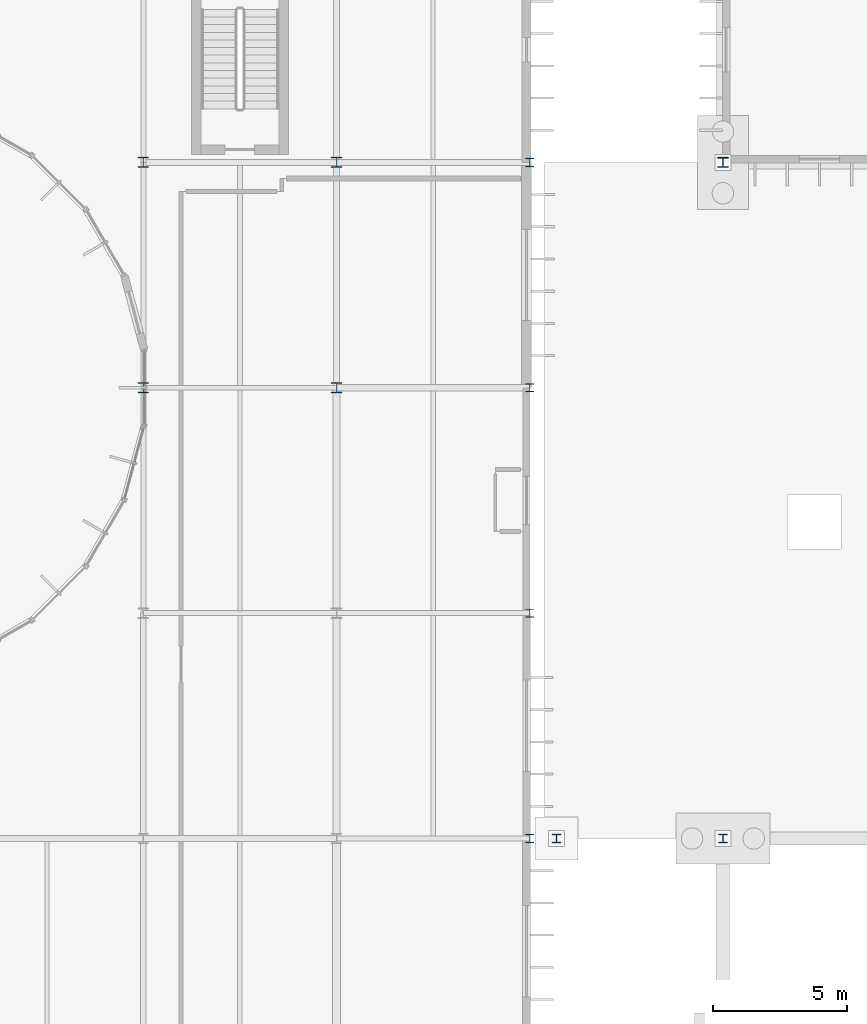
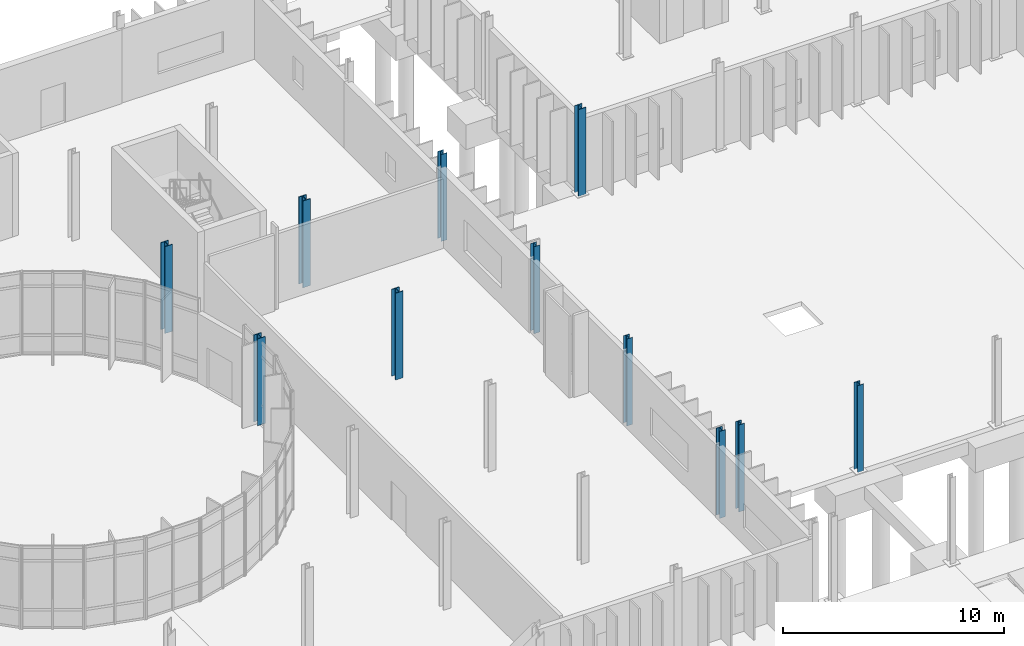
# One storey, part 18 of 118: 11 columns.
"""IFC4 building model written with IfcOpenShell, lengths in metres."""

from ifc_helpers import new_model, si_unit, direction, frame, origin, origin_2d, place, context, subcontext, project, spatial, i_section, extrude, material, material_profile, profile_set, type_object, element, save


model = new_model("IFC4")

# Units and contexts
model_context = context("Model", 3, precision=1e-05, world=origin(), true_north=direction((0.0, 1.0)))
body_context = subcontext(model_context, "Body", "Model", "MODEL_VIEW")
ifc_project = project(units=[si_unit("LENGTHUNIT", "METRE"), si_unit("AREAUNIT", "SQUARE_METRE"), si_unit("VOLUMEUNIT", "CUBIC_METRE"), si_unit("PLANEANGLEUNIT", "RADIAN"), si_unit("MASSUNIT", "GRAM", prefix="KILO")], contexts=[model_context])

# Site, building, storey
site_placement = place(None, origin())
site = spatial("IfcSite", under=ifc_project, at=site_placement, CompositionType="ELEMENT")
building_placement = place(site_placement, origin())
building = spatial("IfcBuilding", under=site, at=building_placement, Name="Qelthora Terrace Specialist Clinic", CompositionType="ELEMENT")
storey_placement = place(building_placement, origin())
storey = spatial("IfcBuildingStorey", under=building, at=storey_placement, Name="L00", CompositionType="ELEMENT", Elevation=0.0)

# Columns
ifc_material = material(Name="Steel S355", Category="steel")
ifc_material_profile_1 = material_profile(ifc_material, i_section(OverallWidth=0.305908203125, OverallDepth=0.31103515625, WebThickness=0.010986328125, FlangeThickness=0.01708984375, FilletRadius=0.014892578125, at=origin_2d()), Name="W310X107")
ifc_profile_set_1 = profile_set([ifc_material_profile_1], Name="Steel S355")
column_type_1 = type_object("IfcColumnType", Name="COL-W310X107", PredefinedType="COLUMN", material=ifc_profile_set_1)
column_1_placement = place(storey_placement, frame((50.39990234375, 92.39990234375, 0.0), z_axis=(0.0, 0.0, 1.0), x_axis=(1.0, 0.0, 0.0)))
element("IfcColumn", 1, at=column_1_placement, inside=storey, type_object=column_type_1, Name="Column L00-097", PredefinedType="COLUMN", context=body_context, shape_type="SweptSolid", body=[
    extrude(i_section(OverallWidth=0.305908203125, OverallDepth=0.31103515625, WebThickness=0.010986328125, FlangeThickness=0.01708984375, FilletRadius=0.014892578125, at=origin_2d()), origin(), (0.0, 0.0, 1.0), 4.800048828125),
])
ifc_material_profile_2 = material_profile(ifc_material, i_section(OverallWidth=0.306884765625, OverallDepth=0.31396484375, WebThickness=0.011962890625, FlangeThickness=0.018798828125, FilletRadius=0.01611328125, at=origin_2d()), Name="W310X118")
ifc_profile_set_2 = profile_set([ifc_material_profile_2], Name="Steel S355")
column_type_2 = type_object("IfcColumnType", Name="COL-W310X118", PredefinedType="COLUMN", material=ifc_profile_set_2)
column_2_placement = place(storey_placement, frame((50.39990234375, 84.0, 0.0), z_axis=(0.0, 0.0, 1.0), x_axis=(1.0, 0.0, 0.0)))
element("IfcColumn", 2, at=column_2_placement, inside=storey, type_object=column_type_2, Name="Column L00-096", PredefinedType="COLUMN", context=body_context, shape_type="SweptSolid", body=[
    extrude(i_section(OverallWidth=0.306884765625, OverallDepth=0.31396484375, WebThickness=0.011962890625, FlangeThickness=0.018798828125, FilletRadius=0.01611328125, at=origin_2d()), origin(), (0.0, 0.0, 1.0), 4.800048828125),
])
ifc_material_profile_3 = material_profile(ifc_material, i_section(OverallWidth=0.30810546875, OverallDepth=0.318115234375, WebThickness=0.01318359375, FlangeThickness=0.0205078125, FilletRadius=0.01611328125, at=origin_2d()), Name="W310X129")
ifc_profile_set_3 = profile_set([ifc_material_profile_3], Name="Steel S355")
column_type_3 = type_object("IfcColumnType", Name="COL-W310X129", PredefinedType="COLUMN", material=ifc_profile_set_3)
column_3_placement = place(storey_placement, frame((51.39990234375, 67.199951171875, 0.0), z_axis=(0.0, 0.0, 1.0), x_axis=(1.0, 0.0, 0.0)))
element("IfcColumn", 3, at=column_3_placement, inside=storey, type_object=column_type_3, Name="Column L00-103", PredefinedType="COLUMN", context=body_context, shape_type="SweptSolid", body=[
    extrude(i_section(OverallWidth=0.30810546875, OverallDepth=0.318115234375, WebThickness=0.01318359375, FlangeThickness=0.0205078125, FilletRadius=0.01611328125, at=origin_2d()), origin(), (0.0, 0.0, 1.0), 4.800048828125),
])
ifc_material_profile_4 = material_profile(ifc_material, i_section(OverallWidth=0.30908203125, OverallDepth=0.322998046875, WebThickness=0.013916015625, FlangeThickness=0.02294921875, FilletRadius=0.01611328125, at=origin_2d()), Name="W310X143")
ifc_profile_set_4 = profile_set([ifc_material_profile_4], Name="Steel S355")
column_type_4 = type_object("IfcColumnType", Name="COL-W310X143", PredefinedType="COLUMN", material=ifc_profile_set_4)
for number, where, z_axis, x_axis, name in (
    (4, (50.39990234375, 67.199951171875, 0.0), (0.0, 0.0, 1.0), (1.0, 0.0, 0.0), "Column L00-094"),
    (5, (57.60009765625, 67.199951171875, 0.0), (0.0, 0.0, 1.0), (1.0, 0.0, 0.0), "Column L00-110"),
):
    element("IfcColumn", number, at=place(storey_placement, frame(where, z_axis=z_axis, x_axis=x_axis)), inside=storey, type_object=column_type_4, Name=name, PredefinedType="COLUMN", context=body_context, shape_type="SweptSolid", body=[
        extrude(i_section(OverallWidth=0.30908203125, OverallDepth=0.322998046875, WebThickness=0.013916015625, FlangeThickness=0.02294921875, FilletRadius=0.01611328125, at=origin_2d()), origin(), (0.0, 0.0, 1.0), 4.800048828125),
    ])
ifc_material_profile_5 = material_profile(ifc_material, i_section(OverallWidth=0.304931640625, OverallDepth=0.30810546875, WebThickness=0.010009765625, FlangeThickness=0.015380859375, FilletRadius=0.014892578125, at=origin_2d()), Name="W310X97")
ifc_profile_set_5 = profile_set([ifc_material_profile_5], Name="Steel S355")
column_type_5 = type_object("IfcColumnType", Name="COL-W310X97", PredefinedType="COLUMN", material=ifc_profile_set_5)
column_4_placement = place(storey_placement, frame((50.39990234375, 75.60009765625, 0.0), z_axis=(0.0, 0.0, 1.0), x_axis=(1.0, 0.0, 0.0)))
element("IfcColumn", 6, at=column_4_placement, inside=storey, type_object=column_type_5, Name="Column L00-095", PredefinedType="COLUMN", context=body_context, shape_type="SweptSolid", body=[
    extrude(i_section(OverallWidth=0.304931640625, OverallDepth=0.30810546875, WebThickness=0.010009765625, FlangeThickness=0.015380859375, FilletRadius=0.014892578125, at=origin_2d()), origin(), (0.0, 0.0, 1.0), 4.800048828125),
])
ifc_material_profile_6 = material_profile(ifc_material, i_section(OverallWidth=0.39404296875, OverallDepth=0.375, WebThickness=0.017333984375, FlangeThickness=0.027587890625, FilletRadius=0.02001953125, at=origin_2d()), Name="W360X216")
ifc_profile_set_6 = profile_set([ifc_material_profile_6], Name="Steel S355")
column_type_6 = type_object("IfcColumnType", Name="COL-W360X216", PredefinedType="COLUMN", material=ifc_profile_set_6)
column_5_placement = place(storey_placement, frame((57.60009765625, 92.39990234375, 0.0), z_axis=(0.0, 0.0, 1.0), x_axis=(1.0, 0.0, 0.0)))
element("IfcColumn", 7, at=column_5_placement, inside=storey, type_object=column_type_6, Name="Column L00-111", PredefinedType="COLUMN", context=body_context, shape_type="SweptSolid", body=[
    extrude(i_section(OverallWidth=0.39404296875, OverallDepth=0.375, WebThickness=0.017333984375, FlangeThickness=0.027587890625, FilletRadius=0.02001953125, at=origin_2d()), origin(), (0.0, 0.0, 1.0), 4.800048828125),
])
ifc_material_profile_7 = material_profile(ifc_material, i_section(OverallWidth=0.39794921875, OverallDepth=0.386962890625, WebThickness=0.02099609375, FlangeThickness=0.033203125, FilletRadius=0.02001953125, at=origin_2d()), Name="W360X262")
ifc_profile_set_7 = profile_set([ifc_material_profile_7], Name="Steel S355")
column_type_7 = type_object("IfcColumnType", Name="COL-W360X262", PredefinedType="COLUMN", material=ifc_profile_set_7)
for number, where, z_axis, x_axis, name in (
    (8, (36.0, 84.0, 0.0), (0.0, 0.0, 1.0), (1.0, 0.0, 0.0), "Column L00-075"),
    (9, (43.199951171875, 84.0, 0.0), (0.0, 0.0, 1.0), (1.0, 0.0, 0.0), "Column L00-089"),
):
    element("IfcColumn", number, at=place(storey_placement, frame(where, z_axis=z_axis, x_axis=x_axis)), inside=storey, type_object=column_type_7, Name=name, PredefinedType="COLUMN", context=body_context, shape_type="SweptSolid", body=[
        extrude(i_section(OverallWidth=0.39794921875, OverallDepth=0.386962890625, WebThickness=0.02099609375, FlangeThickness=0.033203125, FilletRadius=0.02001953125, at=origin_2d()), origin(), (0.0, 0.0, 1.0), 4.800048828125),
    ])
ifc_material_profile_8 = material_profile(ifc_material, i_section(OverallWidth=0.39892578125, OverallDepth=0.39306640625, WebThickness=0.022705078125, FlangeThickness=0.035888671875, FilletRadius=0.02001953125, at=origin_2d()), Name="W360X287")
ifc_profile_set_8 = profile_set([ifc_material_profile_8], Name="Steel S355")
column_type_8 = type_object("IfcColumnType", Name="COL-W360X287", PredefinedType="COLUMN", material=ifc_profile_set_8)
for number, where, z_axis, x_axis, name in (
    (10, (36.0, 92.39990234375, 0.0), (0.0, 0.0, 1.0), (1.0, 0.0, 0.0), "Column L00-076"),
    (11, (43.199951171875, 92.39990234375, 0.0), (0.0, 0.0, 1.0), (1.0, 0.0, 0.0), "Column L00-090"),
):
    element("IfcColumn", number, at=place(storey_placement, frame(where, z_axis=z_axis, x_axis=x_axis)), inside=storey, type_object=column_type_8, Name=name, PredefinedType="COLUMN", context=body_context, shape_type="SweptSolid", body=[
        extrude(i_section(OverallWidth=0.39892578125, OverallDepth=0.39306640625, WebThickness=0.022705078125, FlangeThickness=0.035888671875, FilletRadius=0.02001953125, at=origin_2d()), origin(), (0.0, 0.0, 1.0), 4.800048828125),
    ])

save(model, "model.ifc")
